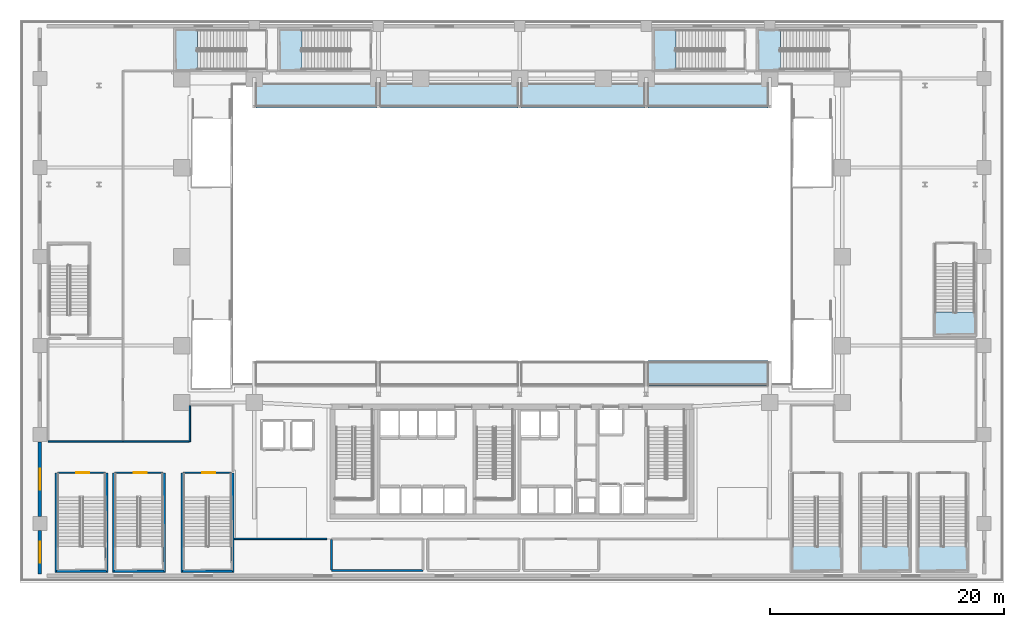
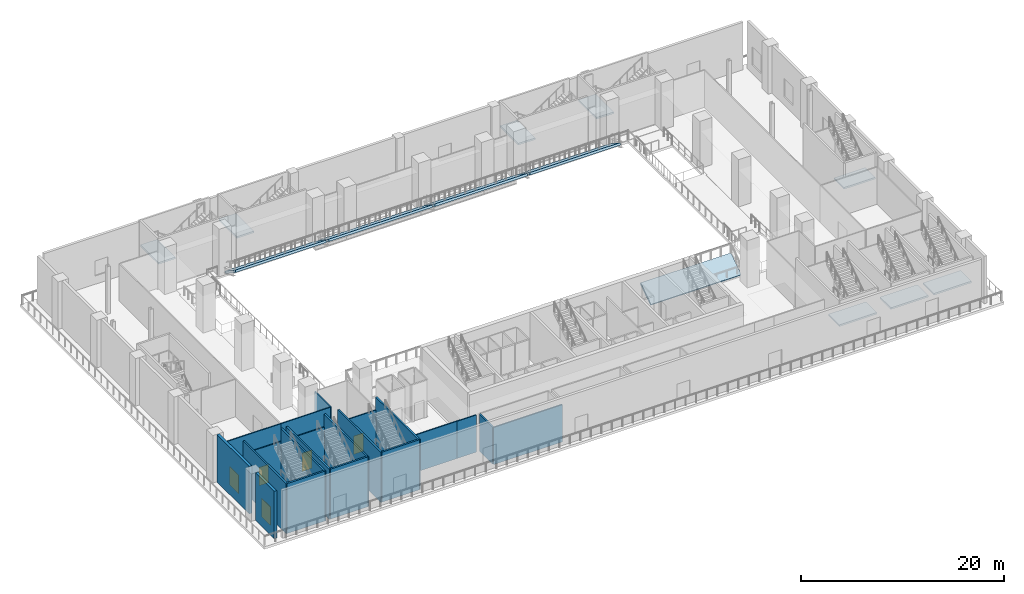
# One storey, part 6 of 28: 21 walls, 13 slabs, 3 doors, 2 windows, 5 openings, 8 elements without a shape of their own.
"""IFC4 building model written with IfcOpenShell, lengths in metres."""

from ifc_helpers import new_model, si_unit, direction, frame, frame_2d, origin, place, context, subcontext, project, spatial, polyline, rectangle, outline, extrude, material, layer, layer_set, type_object, element, fill, aggregate, save


model = new_model("IFC4")

# Units and contexts
model_context = context("Model", 3, precision=1e-05, world=origin(), true_north=direction((0.0, 1.0)))
body_context = subcontext(model_context, "Body", "Model", "MODEL_VIEW")
ifc_project = project(units=[si_unit("LENGTHUNIT", "METRE"), si_unit("AREAUNIT", "SQUARE_METRE"), si_unit("VOLUMEUNIT", "CUBIC_METRE"), si_unit("PLANEANGLEUNIT", "RADIAN"), si_unit("MASSUNIT", "GRAM", prefix="KILO")], contexts=[model_context])

# Site, building, storey
site_placement = place(None, origin())
site = spatial("IfcSite", under=ifc_project, at=site_placement, CompositionType="ELEMENT")
building_placement = place(site_placement, origin())
building = spatial("IfcBuilding", under=site, at=building_placement, Name="Ndaravel Arena Tower", CompositionType="ELEMENT")
storey_placement = place(building_placement, frame((0.0, 0.0, 18.0)))
storey = spatial("IfcBuildingStorey", under=building, at=storey_placement, Name="L03", CompositionType="ELEMENT", Elevation=18.0)

# Stair, slab
ifc_material_1 = material(Name="Concrete C40/50", Category="concrete")
stair_type_1 = type_object("IfcStairType", Name="STAIR-ARENA-HT", PredefinedType="HALF_TURN_STAIR", material=ifc_material_1)
stair_1_placement = place(storey_placement, origin())
stair_1 = element("IfcStair", 1, at=stair_1_placement, inside=storey, type_object=stair_type_1, Name="L03 ST-A04", PredefinedType="HALF_TURN_STAIR")
ifc_material_2 = material(Name="Concrete C40/50", Category="concrete")
ifc_layer_1 = layer(ifc_material_2, 0.199951171875)
ifc_layer_set_1 = layer_set([ifc_layer_1], Name="Concrete C40/50")
slab_type_1 = type_object("IfcSlabType", Name="SLAB-STAIR-LANDING", PredefinedType="LANDING", material=ifc_layer_set_1)
slab_1_placement = place(storey_placement, frame((0.0, 0.0, 2.800048828125)))
slab_1 = element("IfcSlab", 2, at=slab_1_placement, type_object=slab_type_1, Name="ST-A04 landing 1", PredefinedType="LANDING", context=body_context, shape_type="SweptSolid", body=[
    extrude(outline(polyline([(65.8701171875, 3.10498046875), (65.8701171875, 0.969970703125), (70.1298828125, 0.969970703125), (70.1298828125, 3.10498046875), (65.8701171875, 3.10498046875)])), origin(), (0.0, 0.0, 1.0), 0.199951171875),
])
aggregate(stair_1, [slab_1])

stair_2_placement = place(storey_placement, origin())
stair_2 = element("IfcStair", 3, at=stair_2_placement, inside=storey, type_object=stair_type_1, Name="L03 ST-A05", PredefinedType="HALF_TURN_STAIR")
slab_2_placement = place(storey_placement, frame((0.0, 0.0, 2.800048828125)))
slab_2 = element("IfcSlab", 4, at=slab_2_placement, type_object=slab_type_1, Name="ST-A05 landing 1", PredefinedType="LANDING", context=body_context, shape_type="SweptSolid", body=[
    extrude(outline(polyline([(71.719970703125, 3.10498046875), (71.719970703125, 0.969970703125), (75.97998046875, 0.969970703125), (75.97998046875, 3.10498046875), (71.719970703125, 3.10498046875)])), origin(), (0.0, 0.0, 1.0), 0.199951171875),
])
aggregate(stair_2, [slab_2])

stair_3_placement = place(storey_placement, origin())
stair_3 = element("IfcStair", 5, at=stair_3_placement, inside=storey, type_object=stair_type_1, Name="L03 ST-A06", PredefinedType="HALF_TURN_STAIR")
slab_3_placement = place(storey_placement, frame((0.0, 0.0, 2.800048828125)))
slab_3 = element("IfcSlab", 6, at=slab_3_placement, type_object=slab_type_1, Name="ST-A06 landing 1", PredefinedType="LANDING", context=body_context, shape_type="SweptSolid", body=[
    extrude(outline(polyline([(76.6201171875, 3.10498046875), (76.6201171875, 0.969970703125), (80.8798828125, 0.969970703125), (80.8798828125, 3.10498046875), (76.6201171875, 3.10498046875)])), origin(), (0.0, 0.0, 1.0), 0.199951171875),
])
aggregate(stair_3, [slab_3])

ifc_material_3 = material(Name="Concrete C40/50", Category="concrete")
stair_type_2 = type_object("IfcStairType", Name="STAIR-POD-QT", PredefinedType="QUARTER_TURN_STAIR", material=ifc_material_3)
stair_4_placement = place(storey_placement, origin())
stair_4 = element("IfcStair", 7, at=stair_4_placement, inside=storey, type_object=stair_type_2, Name="L03 ST-A08", PredefinedType="QUARTER_TURN_STAIR")
slab_4_placement = place(storey_placement, frame((0.0, 0.0, 2.800048828125)))
slab_4 = element("IfcSlab", 8, at=slab_4_placement, type_object=slab_type_1, Name="ST-A08 landing 1", PredefinedType="LANDING", context=body_context, shape_type="SweptSolid", body=[
    extrude(outline(polyline([(15.1650390625, 47.219970703125), (13.219970703125, 47.219970703125), (13.219970703125, 43.679931640625), (15.1650390625, 43.679931640625), (15.1650390625, 47.219970703125)])), origin(), (0.0, 0.0, 1.0), 0.199951171875),
])
aggregate(stair_4, [slab_4])

stair_5_placement = place(storey_placement, origin())
stair_5 = element("IfcStair", 9, at=stair_5_placement, inside=storey, type_object=stair_type_2, Name="L03 ST-A09", PredefinedType="QUARTER_TURN_STAIR")
slab_5_placement = place(storey_placement, frame((0.0, 0.0, 2.800048828125)))
slab_5 = element("IfcSlab", 10, at=slab_5_placement, type_object=slab_type_1, Name="ST-A09 landing 1", PredefinedType="LANDING", context=body_context, shape_type="SweptSolid", body=[
    extrude(outline(polyline([(24.06494140625, 47.219970703125), (22.1201171875, 47.219970703125), (22.1201171875, 43.679931640625), (24.06494140625, 43.679931640625), (24.06494140625, 47.219970703125)])), origin(), (0.0, 0.0, 1.0), 0.199951171875),
])
aggregate(stair_5, [slab_5])

stair_6_placement = place(storey_placement, origin())
stair_6 = element("IfcStair", 11, at=stair_6_placement, inside=storey, type_object=stair_type_2, Name="L03 ST-A10", PredefinedType="QUARTER_TURN_STAIR")
slab_6_placement = place(storey_placement, frame((0.0, 0.0, 2.800048828125)))
slab_6 = element("IfcSlab", 12, at=slab_6_placement, type_object=slab_type_1, Name="ST-A10 landing 1", PredefinedType="LANDING", context=body_context, shape_type="SweptSolid", body=[
    extrude(outline(polyline([(56.014892578125, 47.219970703125), (54.070068359375, 47.219970703125), (54.070068359375, 43.679931640625), (56.014892578125, 43.679931640625), (56.014892578125, 47.219970703125)])), origin(), (0.0, 0.0, 1.0), 0.199951171875),
])
aggregate(stair_6, [slab_6])

stair_7_placement = place(storey_placement, origin())
stair_7 = element("IfcStair", 13, at=stair_7_placement, inside=storey, type_object=stair_type_2, Name="L03 ST-A11", PredefinedType="QUARTER_TURN_STAIR")
slab_7_placement = place(storey_placement, frame((0.0, 0.0, 2.800048828125)))
slab_7 = element("IfcSlab", 14, at=slab_7_placement, type_object=slab_type_1, Name="ST-A11 landing 1", PredefinedType="LANDING", context=body_context, shape_type="SweptSolid", body=[
    extrude(outline(polyline([(64.9150390625, 47.219970703125), (62.969970703125, 47.219970703125), (62.969970703125, 43.679931640625), (64.9150390625, 43.679931640625), (64.9150390625, 47.219970703125)])), origin(), (0.0, 0.0, 1.0), 0.199951171875),
])
aggregate(stair_7, [slab_7])

stair_8_placement = place(storey_placement, origin())
stair_8 = element("IfcStair", 15, at=stair_8_placement, inside=storey, type_object=stair_type_2, Name="L03 ST-A12", PredefinedType="QUARTER_TURN_STAIR")
slab_8_placement = place(storey_placement, frame((0.0, 0.0, 2.800048828125)))
slab_8 = element("IfcSlab", 16, at=slab_8_placement, type_object=slab_type_1, Name="ST-A12 landing 1", PredefinedType="LANDING", context=body_context, shape_type="SweptSolid", body=[
    extrude(outline(polyline([(78.0400390625, 23.06494140625), (78.0400390625, 21.1201171875), (81.580078125, 21.1201171875), (81.580078125, 23.06494140625), (78.0400390625, 23.06494140625)])), origin(), (0.0, 0.0, 1.0), 0.199951171875),
])
aggregate(stair_8, [slab_8])

# Slabs
ifc_material_4 = material(Name="Precast concrete C45/55", Category="concrete")
ifc_layer_2 = layer(ifc_material_4, 0.239990234375)
ifc_layer_set_2 = layer_set([ifc_layer_2], Name="Precast concrete C45/55")
slab_type_2 = type_object("IfcSlabType", Name="SLAB-TIER-240", PredefinedType="USERDEFINED", material=ifc_layer_set_2)
slab_9_placement = place(storey_placement, frame((20.14990234375, 40.60009765625, 1.550048828125), z_axis=(0.0, 0.555705234117, 0.831379391598), x_axis=(1.0, 0.0, 0.0)))
element("IfcSlab", 17, at=slab_9_placement, inside=storey, type_object=slab_type_2, Name="Stand Upper Tier North Bay 1", ObjectType="SEATING TIER", PredefinedType="USERDEFINED", context=body_context, shape_type="SweptSolid", body=[
    extrude(outline(polyline([(0.0, 0.0), (10.300048828125, 0.0), (10.300048828125, 2.4655466664372594), (0.0, 2.4655466664372594), (0.0, 0.0)])), origin(), (0.0, 0.0, -1.0), 0.239990234375),
])
slab_10_placement = place(storey_placement, frame((30.75, 40.60009765625, 1.550048828125), z_axis=(0.0, 0.555705234117, 0.831379391598), x_axis=(1.0, 0.0, 0.0)))
element("IfcSlab", 18, at=slab_10_placement, inside=storey, type_object=slab_type_2, Name="Stand Upper Tier North Bay 2", ObjectType="SEATING TIER", PredefinedType="USERDEFINED", context=body_context, shape_type="SweptSolid", body=[
    extrude(outline(polyline([(0.0, 0.0), (11.75, 0.0), (11.75, 2.46554666643726), (0.0, 2.46554666643726), (0.0, 0.0)])), origin(), (0.0, 0.0, -1.0), 0.239990234375),
])
slab_11_placement = place(storey_placement, frame((42.800048828125, 40.60009765625, 1.550048828125), z_axis=(0.0, 0.555705234117, 0.831379391598), x_axis=(1.0, 0.0, 0.0)))
element("IfcSlab", 19, at=slab_11_placement, inside=storey, type_object=slab_type_2, Name="Stand Upper Tier North Bay 3", ObjectType="SEATING TIER", PredefinedType="USERDEFINED", context=body_context, shape_type="SweptSolid", body=[
    extrude(outline(polyline([(0.0, 0.0), (10.5, 0.0), (10.5, 2.46554666643726), (0.0, 2.46554666643726), (0.0, 0.0)])), origin(), (0.0, 0.0, -1.0), 0.239990234375),
])
slab_12_placement = place(storey_placement, frame((53.60009765625, 40.60009765625, 1.550048828125), z_axis=(0.0, 0.555705234117, 0.831379391598), x_axis=(1.0, 0.0, 0.0)))
element("IfcSlab", 20, at=slab_12_placement, inside=storey, type_object=slab_type_2, Name="Stand Upper Tier North Bay 4", ObjectType="SEATING TIER", PredefinedType="USERDEFINED", context=body_context, shape_type="SweptSolid", body=[
    extrude(outline(polyline([(0.0, 0.0), (10.25, 0.0), (10.25, 2.46554666643726), (0.0, 2.46554666643726), (0.0, 0.0)])), origin(), (0.0, 0.0, -1.0), 0.239990234375),
])
slab_13_placement = place(storey_placement, frame((53.60009765625, 16.75, 0.179931640625), z_axis=(0.0, -0.555659489205, 0.831409966296), x_axis=(1.0, 0.0, 0.0)))
element("IfcSlab", 21, at=slab_13_placement, inside=storey, type_object=slab_type_2, Name="Stand Upper Tier South Bay 4", ObjectType="SEATING TIER", PredefinedType="USERDEFINED", context=body_context, shape_type="SweptSolid", body=[
    extrude(outline(polyline([(0.0, 0.0), (10.25, 0.0), (10.25, 2.465749643653953), (0.0, 2.465749643653953), (0.0, 0.0)])), origin(), (0.0, 0.0, -1.0), 0.239990234375),
])

# Walls
ifc_material_5 = material(Name="Gypsum", Category="gypsum")
ifc_layer_3 = layer(ifc_material_5, 0.125)
ifc_layer_set_3 = layer_set([ifc_layer_3], Name="Gypsum")
wall_type_1 = type_object("IfcWallType", Name="WALL-PART-125", PredefinedType="PARTITIONING", material=ifc_layer_set_3)
wall_1_placement = place(storey_placement, frame((26.199951171875, 3.699951171875, 0.0), z_axis=(0.0, 0.0, 1.0), x_axis=(-1.0, 0.0, 0.0)))
element("IfcWall", 22, at=wall_1_placement, inside=storey, type_object=wall_type_1, Name="L03 Interior Partition 006", PredefinedType="PARTITIONING", context=body_context, shape_type="SweptSolid", body=[
    extrude(rectangle(XDim=2.199951171875, YDim=0.125, at=frame_2d((1.10009765625, 0.0))), origin(), (0.0, 0.0, 1.0), 4.469970703125),
])
wall_2_placement = place(storey_placement, frame((24.0, 3.699951171875, 0.0), z_axis=(0.0, 0.0, 1.0), x_axis=(-1.0, 0.0, 0.0)))
element("IfcWall", 23, at=wall_2_placement, inside=storey, type_object=wall_type_1, Name="L03 Interior Partition 007", PredefinedType="PARTITIONING", context=body_context, shape_type="SweptSolid", body=[
    extrude(rectangle(XDim=5.72998046875, YDim=0.125, at=frame_2d((2.864990234375, 0.0))), origin(), (0.0, 0.0, 1.0), 4.469970703125),
])
wall_3_placement = place(storey_placement, frame((14.5, 15.0849609375, 0.0), z_axis=(0.0, 0.0, 1.0), x_axis=(0.0, -1.0, 0.0)))
element("IfcWall", 24, at=wall_3_placement, inside=storey, type_object=wall_type_1, Name="L03 Interior Partition 010", PredefinedType="PARTITIONING", context=body_context, shape_type="SweptSolid", body=[
    extrude(rectangle(XDim=3.0849609375, YDim=0.125, at=frame_2d((1.54248046875, 0.0))), origin(), (0.0, 0.0, 1.0), 4.469970703125),
])
wall_4_placement = place(storey_placement, frame((14.43505859375, 12.0, 0.0), z_axis=(0.0, 0.0, 1.0), x_axis=(-1.0, 0.0, 0.0)))
element("IfcWall", 25, at=wall_4_placement, inside=storey, type_object=wall_type_1, Name="L03 Interior Partition 011", PredefinedType="PARTITIONING", context=body_context, shape_type="SweptSolid", body=[
    extrude(rectangle(XDim=5.635009765625, YDim=0.125, at=frame_2d((2.8173828125, 0.0))), origin(), (0.0, 0.0, 1.0), 4.469970703125),
])
wall_5_placement = place(storey_placement, frame((8.800048828125, 12.0, 0.0), z_axis=(0.0, 0.0, 1.0), x_axis=(-1.0, 0.0, 0.0)))
element("IfcWall", 26, at=wall_5_placement, inside=storey, type_object=wall_type_1, Name="L03 Interior Partition 026", PredefinedType="PARTITIONING", context=body_context, shape_type="SweptSolid", body=[
    extrude(rectangle(XDim=6.400146484375, YDim=0.125, at=frame_2d((3.2001953125, 0.0))), origin(), (0.0, 0.0, 1.0), 4.469970703125),
])

# Wall, opening, window
ifc_material_6 = material(Name="Masonry", Category="masonry")
ifc_layer_4 = layer(ifc_material_6, 0.300048828125)
ifc_layer_set_4 = layer_set([ifc_layer_4], Name="Masonry")
wall_type_2 = type_object("IfcWallType", Name="WALL-POD-MAZERAS-300", PredefinedType="SOLIDWALL", material=ifc_layer_set_4)
wall_6_placement = place(storey_placement, frame((1.699951171875, 0.699951171875, 0.0), z_axis=(0.0, 0.0, 1.0), x_axis=(0.0, 1.0, 0.0)))
wall_6 = element("IfcWall", 27, at=wall_6_placement, inside=storey, type_object=wall_type_2, Name="L03 West Mazeras Bay 1", PredefinedType="SOLIDWALL", context=body_context, shape_type="SweptSolid", body=[
    extrude(rectangle(XDim=3.699951171875, YDim=0.300048828125, at=frame_2d((1.85009765625, 0.0))), origin(), (0.0, 0.0, 1.0), 5.699951171875),
])
opening_1_placement = place(wall_6_placement, frame((0.949951171875, 0.0, 1.0)))
opening_1 = element("IfcOpeningElement", 28, at=opening_1_placement, cuts=wall_6, Name="Opening W-PD2", PredefinedType="OPENING", context=body_context, shape_type="SweptSolid", body=[
    extrude(rectangle(XDim=1.800048828125, YDim=2.199951171875, at=frame_2d((0.89990234375, 1.10009765625))), frame((0.0, 0.14990234375, 0.0), z_axis=(0.0, -1.0, 0.0), x_axis=(1.0, 0.0, 0.0)), (0.0, 0.0, 1.0), 0.300048828125),
])
ifc_material_7 = material(Name="Glazing", Category="glass")
window_type = type_object("IfcWindowType", Name="WIN-POD-1800", PartitioningType="SINGLE_PANEL", PredefinedType="WINDOW", material=ifc_material_7)
window_1_placement = place(opening_1_placement, origin())
window_1 = element("IfcWindow", 29, at=window_1_placement, inside=storey, type_object=window_type, Name="L03 West Mazeras Window 1", OverallHeight=2.199951171875, OverallWidth=1.800048828125, PartitioningType="SINGLE_PANEL", PredefinedType="WINDOW", context=body_context, shape_type="SweptSolid", body=[
    extrude(rectangle(XDim=1.800048828125, YDim=2.199951171875, at=frame_2d((0.89990234375, 1.10009765625))), frame((0.0, 0.030029296875, 0.0), z_axis=(0.0, -1.0, 0.0), x_axis=(1.0, 0.0, 0.0)), (0.0, 0.0, 1.0), 0.06005859375),
])
fill(opening_1, window_1)

wall_7_placement = place(storey_placement, frame((1.699951171875, 5.6201171875, 0.0), z_axis=(0.0, 0.0, 1.0), x_axis=(0.0, 1.0, 0.0)))
wall_7 = element("IfcWall", 30, at=wall_7_placement, inside=storey, type_object=wall_type_2, Name="L03 West Mazeras Bay 2", PredefinedType="SOLIDWALL", context=body_context, shape_type="SweptSolid", body=[
    extrude(rectangle(XDim=6.35986328125, YDim=0.300048828125, at=frame_2d((3.179931640625, 0.0))), origin(), (0.0, 0.0, 1.0), 5.699951171875),
])
opening_2_placement = place(wall_7_placement, frame((2.280029296875, 0.0, 1.0)))
opening_2 = element("IfcOpeningElement", 31, at=opening_2_placement, cuts=wall_7, Name="Opening W-PD2", PredefinedType="OPENING", context=body_context, shape_type="SweptSolid", body=[
    extrude(rectangle(XDim=1.800048828125, YDim=2.199951171875, at=frame_2d((0.89990234375, 1.10009765625))), frame((0.0, 0.14990234375, 0.0), z_axis=(0.0, -1.0, 0.0), x_axis=(1.0, 0.0, 0.0)), (0.0, 0.0, 1.0), 0.300048828125),
])
window_2_placement = place(opening_2_placement, origin())
window_2 = element("IfcWindow", 32, at=window_2_placement, inside=storey, type_object=window_type, Name="L03 West Mazeras Window 2", OverallHeight=2.199951171875, OverallWidth=1.800048828125, PartitioningType="SINGLE_PANEL", PredefinedType="WINDOW", context=body_context, shape_type="SweptSolid", body=[
    extrude(rectangle(XDim=1.800048828125, YDim=2.199951171875, at=frame_2d((0.89990234375, 1.10009765625))), frame((0.0, 0.030029296875, 0.0), z_axis=(0.0, -1.0, 0.0), x_axis=(1.0, 0.0, 0.0)), (0.0, 0.0, 1.0), 0.06005859375),
])
fill(opening_2, window_2)

# Wall, opening, door
ifc_material_8 = material(Name="Concrete C40/50", Category="concrete")
ifc_layer_5 = layer(ifc_material_8, 0.1201171875)
ifc_layer_set_5 = layer_set([ifc_layer_5], Name="Concrete C40/50")
wall_type_3 = type_object("IfcWallType", Name="WALL-SHAFT-120", PredefinedType="SOLIDWALL", material=ifc_layer_set_5)
wall_8_placement = place(storey_placement, frame((3.205078125, 9.35009765625, 0.0), z_axis=(0.0, 0.0, 1.0), x_axis=(1.0, 0.0, 0.0)))
wall_8 = element("IfcWall", 33, at=wall_8_placement, inside=storey, type_object=wall_type_3, Name="L03 ST-A01 Entry Wall", PredefinedType="SOLIDWALL", context=body_context, shape_type="SweptSolid", body=[
    extrude(rectangle(XDim=4.08984375, YDim=0.1201171875, at=frame_2d((2.044921875, 0.0))), origin(), (0.0, 0.0, 1.0), 4.469970703125),
])
opening_3_placement = place(wall_8_placement, frame((1.60009765625, 0.0, 0.0)))
opening_3 = element("IfcOpeningElement", 34, at=opening_3_placement, cuts=wall_8, Name="Opening FD-01", PredefinedType="OPENING", context=body_context, shape_type="SweptSolid", body=[
    extrude(rectangle(XDim=1.10009765625, YDim=2.199951171875, at=frame_2d((0.550048828125, 1.10009765625))), frame((0.0, 0.06005859375, 0.0), z_axis=(0.0, -1.0, 0.0), x_axis=(1.0, 0.0, 0.0)), (0.0, 0.0, 1.0), 0.1201171875),
])
ifc_material_9 = material(Name="Steel S355", Category="steel")
door_type = type_object("IfcDoorType", Name="DT-01-STAIR-1100", OperationType="SINGLE_SWING_LEFT", PredefinedType="DOOR", material=ifc_material_9)
door_1_placement = place(opening_3_placement, origin())
door_1 = element("IfcDoor", 35, at=door_1_placement, inside=storey, type_object=door_type, Name="L03 ST-A01 Fire Exit Stair Door", OperationType="SINGLE_SWING_RIGHT", OverallHeight=2.199951171875, OverallWidth=1.10009765625, PredefinedType="DOOR", context=body_context, shape_type="SweptSolid", body=[
    extrude(rectangle(XDim=1.10009765625, YDim=2.199951171875, at=frame_2d((0.550048828125, 1.10009765625))), frame((0.0, 0.02490234375, 0.0), z_axis=(0.0, -1.0, 0.0), x_axis=(1.0, 0.0, 0.0)), (0.0, 0.0, 1.0), 0.050048828125),
])
fill(opening_3, door_1)

wall_9_placement = place(storey_placement, frame((8.10498046875, 9.35009765625, 0.0), z_axis=(0.0, 0.0, 1.0), x_axis=(1.0, 0.0, 0.0)))
wall_9 = element("IfcWall", 36, at=wall_9_placement, inside=storey, type_object=wall_type_3, Name="L03 ST-A02 Entry Wall", PredefinedType="SOLIDWALL", context=body_context, shape_type="SweptSolid", body=[
    extrude(rectangle(XDim=4.090087890625, YDim=0.1201171875, at=frame_2d((2.044921875, 0.0))), origin(), (0.0, 0.0, 1.0), 4.469970703125),
])
opening_4_placement = place(wall_9_placement, frame((1.60009765625, 0.0, 0.0)))
opening_4 = element("IfcOpeningElement", 37, at=opening_4_placement, cuts=wall_9, Name="Opening FD-01", PredefinedType="OPENING", context=body_context, shape_type="SweptSolid", body=[
    extrude(rectangle(XDim=1.10009765625, YDim=2.199951171875, at=frame_2d((0.550048828125, 1.10009765625))), frame((0.0, 0.06005859375, 0.0), z_axis=(0.0, -1.0, 0.0), x_axis=(1.0, 0.0, 0.0)), (0.0, 0.0, 1.0), 0.1201171875),
])
door_2_placement = place(opening_4_placement, origin())
door_2 = element("IfcDoor", 38, at=door_2_placement, inside=storey, type_object=door_type, Name="L03 ST-A02 Fire Exit Stair Door", OperationType="SINGLE_SWING_RIGHT", OverallHeight=2.199951171875, OverallWidth=1.10009765625, PredefinedType="DOOR", context=body_context, shape_type="SweptSolid", body=[
    extrude(rectangle(XDim=1.10009765625, YDim=2.199951171875, at=frame_2d((0.550048828125, 1.10009765625))), frame((0.0, 0.02490234375, 0.0), z_axis=(0.0, -1.0, 0.0), x_axis=(1.0, 0.0, 0.0)), (0.0, 0.0, 1.0), 0.050048828125),
])
fill(opening_4, door_2)

wall_10_placement = place(storey_placement, frame((13.955078125, 9.35009765625, 0.0), z_axis=(0.0, 0.0, 1.0), x_axis=(1.0, 0.0, 0.0)))
wall_10 = element("IfcWall", 39, at=wall_10_placement, inside=storey, type_object=wall_type_3, Name="L03 ST-A03 Entry Wall", PredefinedType="SOLIDWALL", context=body_context, shape_type="SweptSolid", body=[
    extrude(rectangle(XDim=4.08984375, YDim=0.1201171875, at=frame_2d((2.044921875, 0.0))), origin(), (0.0, 0.0, 1.0), 4.469970703125),
])
opening_5_placement = place(wall_10_placement, frame((1.60009765625, 0.0, 0.0)))
opening_5 = element("IfcOpeningElement", 40, at=opening_5_placement, cuts=wall_10, Name="Opening FD-01", PredefinedType="OPENING", context=body_context, shape_type="SweptSolid", body=[
    extrude(rectangle(XDim=1.10009765625, YDim=2.199951171875, at=frame_2d((0.550048828125, 1.10009765625))), frame((0.0, 0.06005859375, 0.0), z_axis=(0.0, -1.0, 0.0), x_axis=(1.0, 0.0, 0.0)), (0.0, 0.0, 1.0), 0.1201171875),
])
door_3_placement = place(opening_5_placement, origin())
door_3 = element("IfcDoor", 41, at=door_3_placement, inside=storey, type_object=door_type, Name="L03 ST-A03 Fire Exit Stair Door", OperationType="SINGLE_SWING_RIGHT", OverallHeight=2.199951171875, OverallWidth=1.10009765625, PredefinedType="DOOR", context=body_context, shape_type="SweptSolid", body=[
    extrude(rectangle(XDim=1.10009765625, YDim=2.199951171875, at=frame_2d((0.550048828125, 1.10009765625))), frame((0.0, 0.02490234375, 0.0), z_axis=(0.0, -1.0, 0.0), x_axis=(1.0, 0.0, 0.0)), (0.0, 0.0, 1.0), 0.050048828125),
])
fill(opening_5, door_3)

# Walls
ifc_material_10 = material(Name="Concrete C40/50", Category="concrete")
ifc_layer_6 = layer(ifc_material_10, 0.199951171875)
ifc_layer_set_6 = layer_set([ifc_layer_6], Name="Concrete C40/50")
wall_type_4 = type_object("IfcWallType", Name="WALL-SHAFT-200", PredefinedType="SOLIDWALL", material=ifc_layer_set_6)
for number, where, z_axis, x_axis, name in (
    (42, (3.10009765625, 9.35009765625, 0.0), (0.0, 0.0, 1.0), (0.0, -1.0, 0.0), "L03 ST-A01 Shaft Wall Left"),
    (43, (7.39990234375, 9.35009765625, 0.0), (0.0, 0.0, 1.0), (0.0, -1.0, 0.0), "L03 ST-A01 Shaft Wall Right"),
):
    element("IfcWall", number, at=place(storey_placement, frame(where, z_axis=z_axis, x_axis=x_axis)), inside=storey, type_object=wall_type_4, Name=name, PredefinedType="SOLIDWALL", context=body_context, shape_type="SweptSolid", body=[
        extrude(rectangle(XDim=8.5, YDim=0.199951171875, at=frame_2d((4.25, 0.0))), origin(), (0.0, 0.0, 1.0), 6.0),
    ])
wall_11_placement = place(storey_placement, frame((3.110107421875, 0.949951171875, 0.0), z_axis=(0.0, 0.0, 1.0), x_axis=(1.0, 0.0, 0.0)))
element("IfcWall", 44, at=wall_11_placement, inside=storey, type_object=wall_type_4, Name="L03 ST-A01 Shaft Wall Far", PredefinedType="SOLIDWALL", context=body_context, shape_type="SweptSolid", body=[
    extrude(rectangle(XDim=4.27978515625, YDim=0.199951171875, at=frame_2d((2.139892578125, 0.0))), origin(), (0.0, 0.0, 1.0), 6.0),
])
for number, where, z_axis, x_axis, name in (
    (45, (8.0, 9.35009765625, 0.0), (0.0, 0.0, 1.0), (0.0, -1.0, 0.0), "L03 ST-A02 Shaft Wall Left"),
    (46, (12.300048828125, 9.35009765625, 0.0), (0.0, 0.0, 1.0), (0.0, -1.0, 0.0), "L03 ST-A02 Shaft Wall Right"),
):
    element("IfcWall", number, at=place(storey_placement, frame(where, z_axis=z_axis, x_axis=x_axis)), inside=storey, type_object=wall_type_4, Name=name, PredefinedType="SOLIDWALL", context=body_context, shape_type="SweptSolid", body=[
        extrude(rectangle(XDim=8.5, YDim=0.199951171875, at=frame_2d((4.25, 0.0))), origin(), (0.0, 0.0, 1.0), 6.0),
    ])
wall_12_placement = place(storey_placement, frame((8.010009765625, 0.949951171875, 0.0), z_axis=(0.0, 0.0, 1.0), x_axis=(1.0, 0.0, 0.0)))
element("IfcWall", 47, at=wall_12_placement, inside=storey, type_object=wall_type_4, Name="L03 ST-A02 Shaft Wall Far", PredefinedType="SOLIDWALL", context=body_context, shape_type="SweptSolid", body=[
    extrude(rectangle(XDim=4.280029296875, YDim=0.199951171875, at=frame_2d((2.14013671875, 0.0))), origin(), (0.0, 0.0, 1.0), 6.0),
])
for number, where, z_axis, x_axis, name in (
    (48, (13.85009765625, 9.35009765625, 0.0), (0.0, 0.0, 1.0), (0.0, -1.0, 0.0), "L03 ST-A03 Shaft Wall Left"),
    (49, (18.14990234375, 9.35009765625, 0.0), (0.0, 0.0, 1.0), (0.0, -1.0, 0.0), "L03 ST-A03 Shaft Wall Right"),
):
    element("IfcWall", number, at=place(storey_placement, frame(where, z_axis=z_axis, x_axis=x_axis)), inside=storey, type_object=wall_type_4, Name=name, PredefinedType="SOLIDWALL", context=body_context, shape_type="SweptSolid", body=[
        extrude(rectangle(XDim=8.5, YDim=0.199951171875, at=frame_2d((4.25, 0.0))), origin(), (0.0, 0.0, 1.0), 6.0),
    ])
wall_13_placement = place(storey_placement, frame((13.860107421875, 0.949951171875, 0.0), z_axis=(0.0, 0.0, 1.0), x_axis=(1.0, 0.0, 0.0)))
element("IfcWall", 50, at=wall_13_placement, inside=storey, type_object=wall_type_4, Name="L03 ST-A03 Shaft Wall Far", PredefinedType="SOLIDWALL", context=body_context, shape_type="SweptSolid", body=[
    extrude(rectangle(XDim=4.27978515625, YDim=0.199951171875, at=frame_2d((2.139892578125, 0.0))), origin(), (0.0, 0.0, 1.0), 6.0),
])
ifc_material_11 = material(Name="Masonry", Category="masonry")
ifc_layer_7 = layer(ifc_material_11, 0.14990234375)
ifc_layer_set_7 = layer_set([ifc_layer_7], Name="Masonry")
wall_type_5 = type_object("IfcWallType", Name="WALL-WET-150", PredefinedType="PARTITIONING", material=ifc_layer_set_7)
wall_14_placement = place(storey_placement, frame((34.39990234375, 1.0, 0.0), z_axis=(0.0, 0.0, 1.0), x_axis=(-1.0, 0.0, 0.0)))
element("IfcWall", 51, at=wall_14_placement, inside=storey, type_object=wall_type_5, Name="L03 Interior Partition 033", PredefinedType="PARTITIONING", context=body_context, shape_type="SweptSolid", body=[
    extrude(rectangle(XDim=7.7998046875, YDim=0.14990234375, at=frame_2d((3.89990234375, 0.0))), origin(), (0.0, 0.0, 1.0), 4.469970703125),
])
wall_15_placement = place(storey_placement, frame((26.60009765625, 1.06494140625, 0.0), z_axis=(0.0, 0.0, 1.0), x_axis=(0.0, 1.0, 0.0)))
element("IfcWall", 52, at=wall_15_placement, inside=storey, type_object=wall_type_5, Name="L03 Interior Partition 034", PredefinedType="PARTITIONING", context=body_context, shape_type="SweptSolid", body=[
    extrude(rectangle(XDim=2.570068359375, YDim=0.14990234375, at=frame_2d((1.28515625, 0.0))), origin(), (0.0, 0.0, 1.0), 4.469970703125),
])

save(model, "model.ifc")
